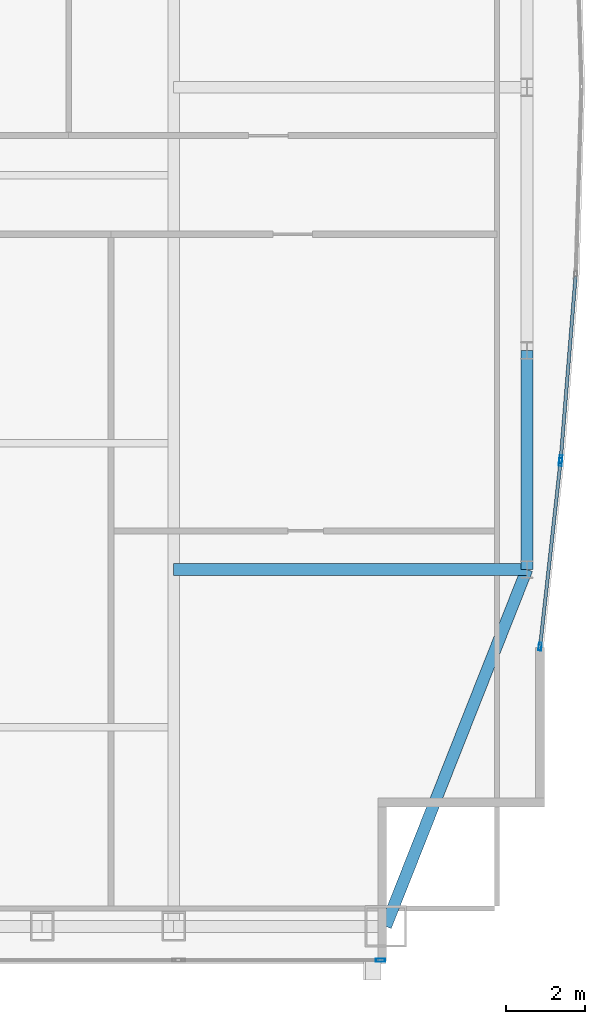
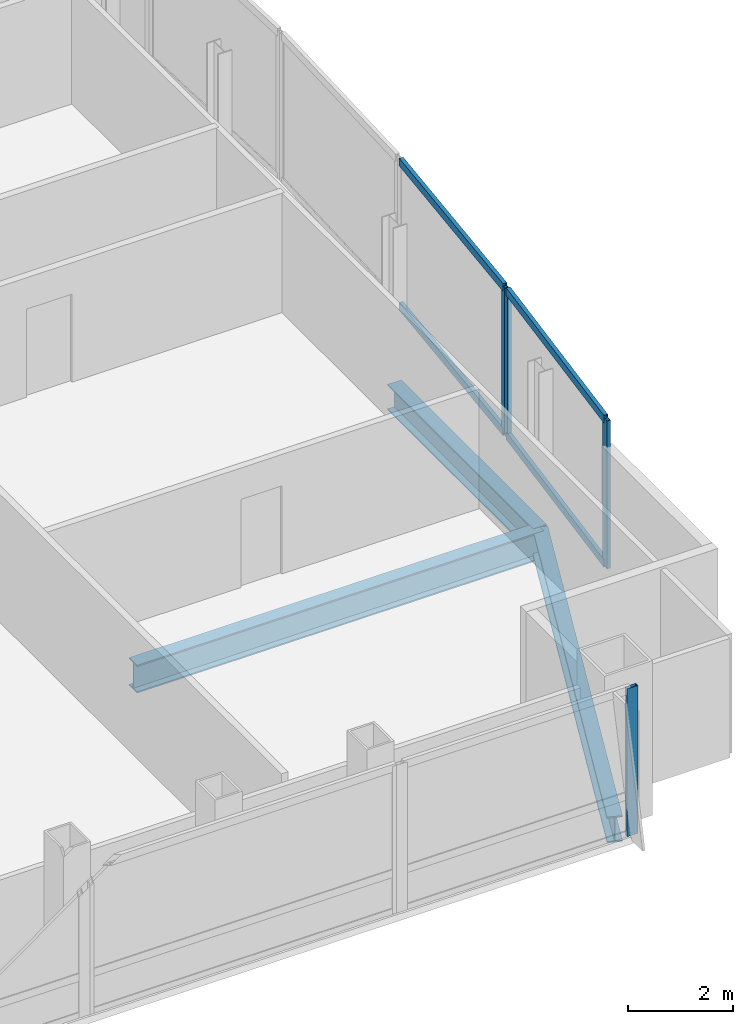
# One storey, part 16 of 29: 8 members, 3 beams, 3 elements without a shape of their own.
"""IFC4 building model written with IfcOpenShell, lengths in metres."""

from ifc_helpers import new_model, si_unit, direction, frame, origin, origin_2d, place, context, subcontext, project, spatial, hollow_rectangle, i_section, extrude, material, material_profile, profile_set, type_object, element, aggregate, save


model = new_model("IFC4")

# Units and contexts
model_context = context("Model", 3, precision=1e-05, world=origin(), true_north=direction((0.0, 1.0)))
body_context = subcontext(model_context, "Body", "Model", "MODEL_VIEW")
ifc_project = project(units=[si_unit("LENGTHUNIT", "METRE"), si_unit("AREAUNIT", "SQUARE_METRE"), si_unit("VOLUMEUNIT", "CUBIC_METRE"), si_unit("PLANEANGLEUNIT", "RADIAN"), si_unit("MASSUNIT", "GRAM", prefix="KILO")], contexts=[model_context])

# Site, building, storey
site_placement = place(None, origin())
site = spatial("IfcSite", under=ifc_project, at=site_placement, CompositionType="ELEMENT")
building_placement = place(site_placement, origin())
building = spatial("IfcBuilding", under=site, at=building_placement, Name="Khoronbel Lancet Exchange", CompositionType="ELEMENT")
storey_placement = place(building_placement, frame((0.0, 0.0, 242.60009765625)))
storey = spatial("IfcBuildingStorey", under=building, at=storey_placement, Name="L62", CompositionType="ELEMENT", Elevation=242.60009765625)

# Beams
ifc_material_1 = material(Name="Steel S355", Category="steel")
ifc_material_profile_1 = material_profile(ifc_material_1, i_section(OverallWidth=0.300048828125, OverallDepth=0.64990234375, WebThickness=0.01611328125, FlangeThickness=0.031005859375, at=origin_2d()), Name="HEB 650")
ifc_profile_set_1 = profile_set([ifc_material_profile_1], Name="Steel S355")
beam_type_1 = type_object("IfcBeamType", Name="BM-BG4", PredefinedType="BEAM", material=ifc_profile_set_1)
beam_1_placement = place(storey_placement, frame((54.675048828125, 19.199951171875, -0.485107421875), z_axis=(1.0, 0.0, 0.0), x_axis=(0.0, 1.0, 0.0)))
element("IfcBeam", 1, at=beam_1_placement, inside=storey, type_object=beam_type_1, Name="Level L62 east lens tie girder LG1E", PredefinedType="BEAM", context=body_context, shape_type="SweptSolid", body=[
    extrude(i_section(OverallWidth=0.300048828125, OverallDepth=0.64990234375, WebThickness=0.01611328125, FlangeThickness=0.031005859375, at=origin_2d()), origin(), (0.0, 0.0, 1.0), 8.954833984375),
])
ifc_material_profile_2 = material_profile(ifc_material_1, i_section(OverallWidth=0.300048828125, OverallDepth=0.60009765625, WebThickness=0.015380859375, FlangeThickness=0.030029296875, at=origin_2d()), Name="HEB 600")
ifc_profile_set_2 = profile_set([ifc_material_profile_2], Name="Steel S355")
beam_type_2 = type_object("IfcBeamType", Name="BM-BSP2", PredefinedType="SPANDREL", material=ifc_profile_set_2)
beam_2_placement = place(storey_placement, frame((60.050048828125, 10.14990234375, -0.460205078125), z_axis=(0.367828403855, 0.929893684954, 0.0), x_axis=(-0.929893684954, 0.367828403855, 0.0)))
element("IfcBeam", 2, at=beam_2_placement, inside=storey, type_object=beam_type_2, Name="Level L62 perimeter spandrel beam SP10", PredefinedType="SPANDREL", context=body_context, shape_type="SweptSolid", body=[
    extrude(i_section(OverallWidth=0.300048828125, OverallDepth=0.60009765625, WebThickness=0.015380859375, FlangeThickness=0.030029296875, at=origin_2d()), origin(), (0.0, 0.0, 1.0), 9.732421875),
])
beam_3_placement = place(storey_placement, frame((63.6298828125, 19.199951171875, -0.460205078125), z_axis=(0.0, 1.0, 0.0), x_axis=(-1.0, 0.0, 0.0)))
element("IfcBeam", 3, at=beam_3_placement, inside=storey, type_object=beam_type_2, Name="Level L62 perimeter spandrel beam SP11", PredefinedType="SPANDREL", context=body_context, shape_type="SweptSolid", body=[
    extrude(i_section(OverallWidth=0.300048828125, OverallDepth=0.60009765625, WebThickness=0.015380859375, FlangeThickness=0.030029296875, at=origin_2d()), origin(), (0.0, 0.0, 1.0), 5.550048828125),
])

# Curtain wall, member
ifc_material_2 = material(Name="Low-E Solar Control Insulating Glass", Category="glass")
curtain_wall_type_1 = type_object("IfcCurtainWallType", Name="CW-3", PredefinedType="NOTDEFINED", material=ifc_material_2)
curtain_wall_1_placement = place(storey_placement, origin())
curtain_wall_1 = element("IfcCurtainWall", 4, at=curtain_wall_1_placement, inside=storey, type_object=curtain_wall_type_1, Name="Unitised curtain wall CW-L62-SEV", PredefinedType="NOTDEFINED")
ifc_material_3 = material(Name="Bronze-Anodised Aluminium 6063-T6", Category="aluminium")
ifc_material_profile_3 = material_profile(ifc_material_3, hollow_rectangle(XDim=0.0849609375, YDim=0.239990234375, WallThickness=0.006103515625, at=origin_2d()), Name="ALU MULLION 85x240")
ifc_profile_set_3 = profile_set([ifc_material_profile_3], Name="Bronze-Anodised Aluminium 6063-T6")
member_type_1 = type_object("IfcMemberType", Name="MEM-CWM1", PredefinedType="MULLION", material=ifc_profile_set_3)
member_1_placement = place(storey_placement, frame((59.91748046875, 9.2900390625, 0.0), z_axis=(0.0, 0.0, 1.0), x_axis=(0.0, 1.0, 0.0)))
member_1 = element("IfcMember", 5, at=member_1_placement, type_object=member_type_1, Name="CW3 mullion 2", PredefinedType="MULLION", context=body_context, shape_type="SweptSolid", body=[
    extrude(hollow_rectangle(XDim=0.0849609375, YDim=0.239990234375, WallThickness=0.006103515625, at=origin_2d()), origin(), (0.0, 0.0, 1.0), 3.43994140625),
])
aggregate(curtain_wall_1, [member_1])

curtain_wall_type_2 = type_object("IfcCurtainWallType", Name="CW-4", PredefinedType="NOTDEFINED", material=ifc_material_2)
curtain_wall_2_placement = place(storey_placement, origin())
curtain_wall_2 = element("IfcCurtainWall", 6, at=curtain_wall_2_placement, inside=storey, type_object=curtain_wall_type_2, Name="Unitised curtain wall CW-L62-E21", PredefinedType="NOTDEFINED")
ifc_material_profile_4 = material_profile(ifc_material_3, hollow_rectangle(XDim=0.074951171875, YDim=0.199951171875, WallThickness=0.0048828125, at=origin_2d()), Name="ALU MULLION 75x200")
ifc_profile_set_4 = profile_set([ifc_material_profile_4], Name="Bronze-Anodised Aluminium 6063-T6")
member_type_2 = type_object("IfcMemberType", Name="MEM-CWM2", PredefinedType="MULLION", material=ifc_profile_set_4)
member_2_placement = place(storey_placement, frame((64.488525390625, 21.99609375, 0.0), z_axis=(0.0, 0.0, 1.0), x_axis=(0.996743296731, -0.080639943095, 0.0)))
member_2 = element("IfcMember", 7, at=member_2_placement, type_object=member_type_2, Name="CW4 mullion 2", PredefinedType="MULLION", context=body_context, shape_type="SweptSolid", body=[
    extrude(hollow_rectangle(XDim=0.074951171875, YDim=0.199951171875, WallThickness=0.0048828125, at=origin_2d()), origin(), (0.0, 0.0, 1.0), 3.43994140625),
])

# Curtain wall, members
curtain_wall_3_placement = place(storey_placement, origin())
curtain_wall_3 = element("IfcCurtainWall", 8, at=curtain_wall_3_placement, inside=storey, type_object=curtain_wall_type_2, Name="Unitised curtain wall CW-L62-E22", PredefinedType="NOTDEFINED")
member_3_placement = place(storey_placement, frame((64.481201171875, 21.92138671875, 0.0), z_axis=(0.0, 0.0, 1.0), x_axis=(0.993947317123, -0.109857775256, 0.0)))
member_3 = element("IfcMember", 9, at=member_3_placement, type_object=member_type_2, Name="CW4 mullion 1", PredefinedType="MULLION", context=body_context, shape_type="SweptSolid", body=[
    extrude(hollow_rectangle(XDim=0.074951171875, YDim=0.199951171875, WallThickness=0.0048828125, at=origin_2d()), origin(), (0.0, 0.0, 1.0), 3.43994140625),
])
member_4_placement = place(storey_placement, frame((63.964111328125, 17.2421875, 0.0), z_axis=(0.0, 0.0, 1.0), x_axis=(0.993947317123, -0.109857775256, 0.0)))
member_4 = element("IfcMember", 10, at=member_4_placement, type_object=member_type_2, Name="CW4 mullion 2", PredefinedType="MULLION", context=body_context, shape_type="SweptSolid", body=[
    extrude(hollow_rectangle(XDim=0.074951171875, YDim=0.199951171875, WallThickness=0.0048828125, at=origin_2d()), origin(), (0.0, 0.0, 1.0), 3.43994140625),
])

# Member
ifc_material_profile_5 = material_profile(ifc_material_3, hollow_rectangle(XDim=0.0849609375, YDim=0.179931640625, WallThickness=0.0048828125, at=origin_2d()), Name="ALU TRANSOM 85x180")
ifc_profile_set_5 = profile_set([ifc_material_profile_5], Name="Bronze-Anodised Aluminium 6063-T6")
member_type_3 = type_object("IfcMemberType", Name="MEM-CWT1", PredefinedType="USERDEFINED", material=ifc_profile_set_5)
member_5_placement = place(storey_placement, frame((64.86328125, 26.630126953125, 0.04248046875), z_axis=(-0.080626814238, -0.996744358813, 0.0), x_axis=(0.996744358813, -0.080626814238, 0.0)))
member_5 = element("IfcMember", 11, at=member_5_placement, type_object=member_type_3, Name="CW4 transom 1.1", ObjectType="TRANSOM", PredefinedType="USERDEFINED", context=body_context, shape_type="SweptSolid", body=[
    extrude(hollow_rectangle(XDim=0.0849609375, YDim=0.179931640625, WallThickness=0.0048828125, at=origin_2d()), origin(), (0.0, 0.0, 1.0), 4.611572265625),
])

member_6_placement = place(storey_placement, frame((64.86328125, 26.630126953125, 3.3974609375), z_axis=(-0.080626814238, -0.996744358813, 0.0), x_axis=(0.996744358813, -0.080626814238, 0.0)))
member_6 = element("IfcMember", 12, at=member_6_placement, type_object=member_type_3, Name="CW4 transom 1.2", ObjectType="TRANSOM", PredefinedType="USERDEFINED", context=body_context, shape_type="SweptSolid", body=[
    extrude(hollow_rectangle(XDim=0.0849609375, YDim=0.179931640625, WallThickness=0.0048828125, at=origin_2d()), origin(), (0.0, 0.0, 1.0), 4.611572265625),
])

aggregate(curtain_wall_2, [member_2, member_5, member_6])

member_7_placement = place(storey_placement, frame((64.47705078125, 21.884033203125, 0.04248046875), z_axis=(-0.109829937442, -0.993950393552, 0.0), x_axis=(0.993950393552, -0.109829937442, 0.0)))
member_7 = element("IfcMember", 13, at=member_7_placement, type_object=member_type_3, Name="CW4 transom 1.1", ObjectType="TRANSOM", PredefinedType="USERDEFINED", context=body_context, shape_type="SweptSolid", body=[
    extrude(hollow_rectangle(XDim=0.0849609375, YDim=0.179931640625, WallThickness=0.0048828125, at=origin_2d()), origin(), (0.0, 0.0, 1.0), 4.632568359375),
])

member_8_placement = place(storey_placement, frame((64.47705078125, 21.884033203125, 3.3974609375), z_axis=(-0.109829937442, -0.993950393552, 0.0), x_axis=(0.993950393552, -0.109829937442, 0.0)))
member_8 = element("IfcMember", 14, at=member_8_placement, type_object=member_type_3, Name="CW4 transom 1.2", ObjectType="TRANSOM", PredefinedType="USERDEFINED", context=body_context, shape_type="SweptSolid", body=[
    extrude(hollow_rectangle(XDim=0.0849609375, YDim=0.179931640625, WallThickness=0.0048828125, at=origin_2d()), origin(), (0.0, 0.0, 1.0), 4.632568359375),
])

aggregate(curtain_wall_3, [member_3, member_4, member_7, member_8])

save(model, "model.ifc")
